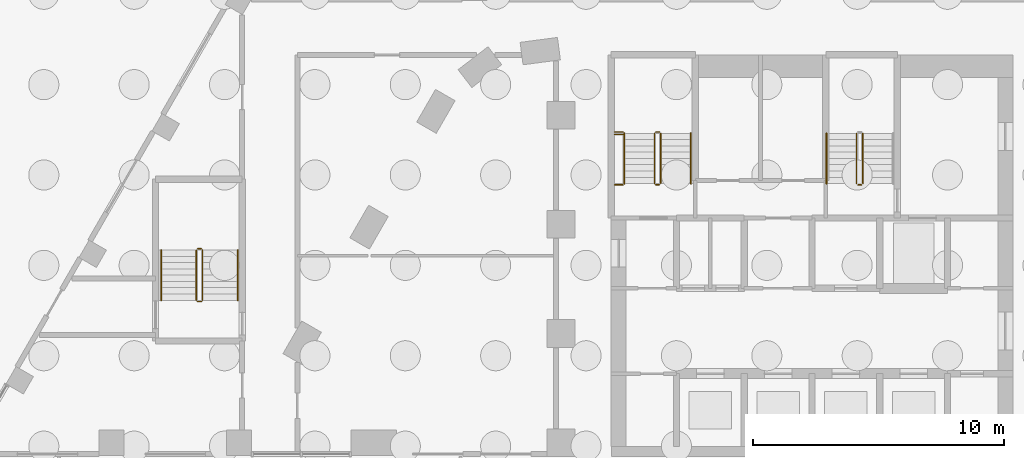
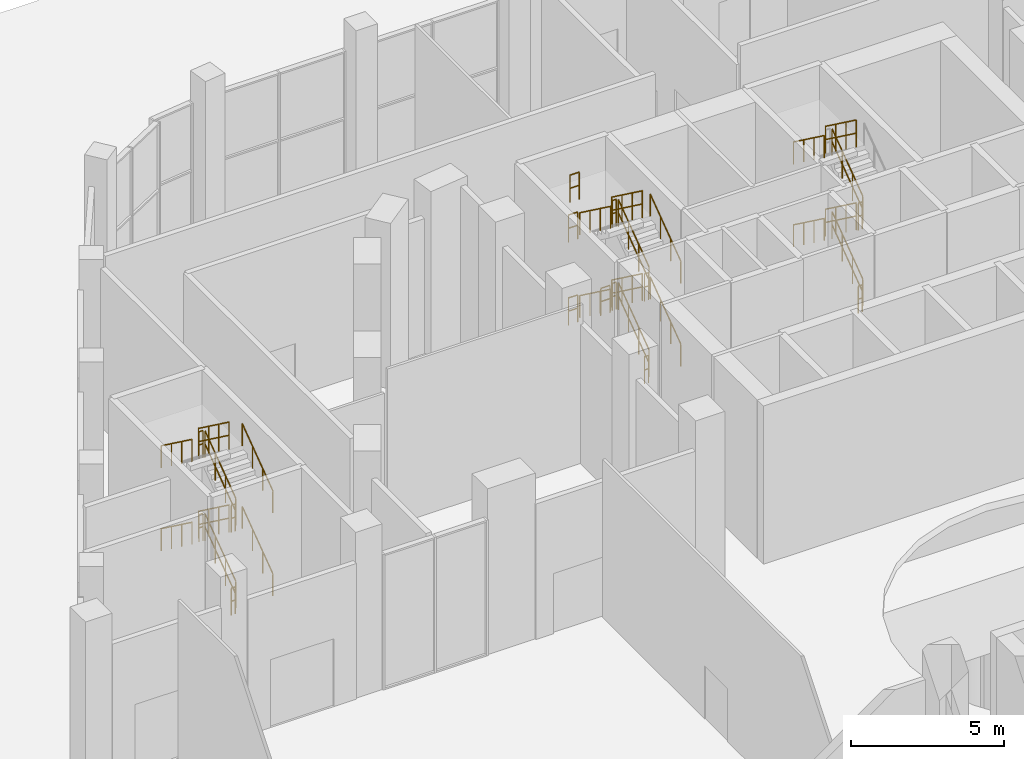
# One storey, part 40 of 44: 36 railings.
"""IFC4 building model written with IfcOpenShell, lengths in metres."""

from ifc_helpers import new_model, si_unit, direction, frame, origin, origin_2d, place, context, subcontext, project, spatial, circle, extrude, material, type_object, element, save


model = new_model("IFC4")

# Units and contexts
model_context = context("Model", 3, precision=1e-05, world=origin(), true_north=direction((0.0, 1.0)))
body_context = subcontext(model_context, "Body", "Model", "MODEL_VIEW")
ifc_project = project(units=[si_unit("LENGTHUNIT", "METRE"), si_unit("AREAUNIT", "SQUARE_METRE"), si_unit("VOLUMEUNIT", "CUBIC_METRE"), si_unit("PLANEANGLEUNIT", "RADIAN"), si_unit("MASSUNIT", "GRAM", prefix="KILO")], contexts=[model_context])

# Site, building, storey
site_placement = place(None, origin())
site = spatial("IfcSite", under=ifc_project, at=site_placement, CompositionType="ELEMENT")
building_placement = place(site_placement, origin())
building = spatial("IfcBuilding", under=site, at=building_placement, Name="Nakaniwa Court", CompositionType="ELEMENT")
storey_placement = place(building_placement, origin())
storey = spatial("IfcBuildingStorey", under=building, at=storey_placement, Name="L00", CompositionType="ELEMENT", Elevation=0.0)

# Railings
ifc_material_1 = material(Name="Black powder coated steel guard", Category="steel")
railing_type_1 = type_object("IfcRailingType", Name="Stair guard 1100", PredefinedType="GUARDRAIL", material=ifc_material_1)
railing_1_placement = place(storey_placement, frame((73.97509765625, 98.27490234375, 0.183349609375)))
element("IfcRailing", 1, at=railing_1_placement, inside=storey, type_object=railing_type_1, Name="L00 ST1 stair guard 1", PredefinedType="GUARDRAIL", context=body_context, shape_type="SweptSolid", body=[
    extrude(circle(Radius=0.02392578125, at=origin_2d()), frame((0.0, 0.0, 1.076171875), z_axis=(0.0, 0.806426902644, 0.591333789573), x_axis=(-1.0, 0.0, 0.0)), (0.0, 0.0, 1.0), 2.47998046875),
    extrude(circle(Radius=0.02392578125, at=origin_2d()), frame((0.0, 0.0, 0.550048828125), z_axis=(0.0, 0.806426902644, 0.591333789573), x_axis=(-1.0, 0.0, 0.0)), (0.0, 0.0, 1.0), 2.47998046875),
    extrude(circle(Radius=0.02099609375, at=origin_2d()), origin(), (0.0, 0.0, 1.0), 1.052001953125),
    extrude(circle(Radius=0.02099609375, at=origin_2d()), frame((0.0, 0.666748046875, 0.48876953125)), (0.0, 0.0, 1.0), 1.052001953125),
    extrude(circle(Radius=0.02099609375, at=origin_2d()), frame((0.0, 1.333251953125, 0.977783203125)), (0.0, 0.0, 1.0), 1.052001953125),
    extrude(circle(Radius=0.02099609375, at=origin_2d()), frame((0.0, 2.0, 1.466552734375)), (0.0, 0.0, 1.0), 1.052001953125),
])
railing_2_placement = place(storey_placement, frame((73.925048828125, 100.324951171875, 1.64990234375)))
element("IfcRailing", 2, at=railing_2_placement, inside=storey, type_object=railing_type_1, Name="L00 ST1 stair guard 2", PredefinedType="GUARDRAIL", context=body_context, shape_type="SweptSolid", body=[
    extrude(circle(Radius=0.02392578125, at=origin_2d()), frame((0.0, 0.0, 1.076171875), z_axis=(-1.0, 0.0, 0.0), x_axis=(0.0, -1.0, 0.0)), (0.0, 0.0, 1.0), 0.150146484375),
    extrude(circle(Radius=0.02392578125, at=origin_2d()), frame((0.0, 0.0, 0.550048828125), z_axis=(-1.0, 0.0, 0.0), x_axis=(0.0, -1.0, 0.0)), (0.0, 0.0, 1.0), 0.150146484375),
    extrude(circle(Radius=0.02099609375, at=origin_2d()), origin(), (0.0, 0.0, 1.0), 1.052001953125),
    extrude(circle(Radius=0.02099609375, at=origin_2d()), frame((-0.150146484375, 0.0, 0.0)), (0.0, 0.0, 1.0), 1.052001953125),
])
railing_3_placement = place(storey_placement, frame((73.72509765625, 100.27490234375, 1.833251953125)))
element("IfcRailing", 3, at=railing_3_placement, inside=storey, type_object=railing_type_1, Name="L00 ST1 stair guard 3", PredefinedType="GUARDRAIL", context=body_context, shape_type="SweptSolid", body=[
    extrude(circle(Radius=0.02392578125, at=origin_2d()), frame((0.0, 0.0, 1.076171875), z_axis=(0.0, -0.806379959628, 0.591397802423), x_axis=(1.0, 0.0, 0.0)), (0.0, 0.0, 1.0), 2.480224609375),
    extrude(circle(Radius=0.02392578125, at=origin_2d()), frame((0.0, 0.0, 0.550048828125), z_axis=(0.0, -0.806379959628, 0.591397802423), x_axis=(1.0, 0.0, 0.0)), (0.0, 0.0, 1.0), 2.480224609375),
    extrude(circle(Radius=0.02099609375, at=origin_2d()), origin(), (0.0, 0.0, 1.0), 1.052001953125),
    extrude(circle(Radius=0.02099609375, at=origin_2d()), frame((0.0, -0.666748046875, 0.489013671875)), (0.0, 0.0, 1.0), 1.052001953125),
    extrude(circle(Radius=0.02099609375, at=origin_2d()), frame((0.0, -1.333251953125, 0.977783203125)), (0.0, 0.0, 1.0), 1.052001953125),
    extrude(circle(Radius=0.02099609375, at=origin_2d()), frame((0.0, -2.0, 1.466796875)), (0.0, 0.0, 1.0), 1.052001953125),
])
railing_4_placement = place(storey_placement, frame((73.925048828125, 98.22509765625, 3.300048828125)))
element("IfcRailing", 4, at=railing_4_placement, inside=storey, type_object=railing_type_1, Name="L00 ST1 stair guard 4", PredefinedType="GUARDRAIL", context=body_context, shape_type="SweptSolid", body=[
    extrude(circle(Radius=0.02392578125, at=origin_2d()), frame((0.0, 0.0, 1.076171875), z_axis=(-1.0, 0.0, 0.0), x_axis=(0.0, -1.0, 0.0)), (0.0, 0.0, 1.0), 0.150146484375),
    extrude(circle(Radius=0.02392578125, at=origin_2d()), frame((0.0, 0.0, 0.550048828125), z_axis=(-1.0, 0.0, 0.0), x_axis=(0.0, -1.0, 0.0)), (0.0, 0.0, 1.0), 0.150146484375),
    extrude(circle(Radius=0.02099609375, at=origin_2d()), origin(), (0.0, 0.0, 1.0), 1.052001953125),
    extrude(circle(Radius=0.02099609375, at=origin_2d()), frame((-0.150146484375, 0.0, 0.0)), (0.0, 0.0, 1.0), 1.052001953125),
])
railing_5_placement = place(storey_placement, frame((73.97509765625, 98.27490234375, 3.4833984375)))
element("IfcRailing", 5, at=railing_5_placement, inside=storey, type_object=railing_type_1, Name="L00 ST1 stair guard 5", PredefinedType="GUARDRAIL", context=body_context, shape_type="SweptSolid", body=[
    extrude(circle(Radius=0.02392578125, at=origin_2d()), frame((0.0, 0.0, 1.076171875), z_axis=(0.0, 0.806426902644, 0.591333789573), x_axis=(-1.0, 0.0, 0.0)), (0.0, 0.0, 1.0), 2.47998046875),
    extrude(circle(Radius=0.02392578125, at=origin_2d()), frame((0.0, 0.0, 0.550048828125), z_axis=(0.0, 0.806426902644, 0.591333789573), x_axis=(-1.0, 0.0, 0.0)), (0.0, 0.0, 1.0), 2.47998046875),
    extrude(circle(Radius=0.02099609375, at=origin_2d()), origin(), (0.0, 0.0, 1.0), 1.052001953125),
    extrude(circle(Radius=0.02099609375, at=origin_2d()), frame((0.0, 0.666748046875, 0.48876953125)), (0.0, 0.0, 1.0), 1.052001953125),
    extrude(circle(Radius=0.02099609375, at=origin_2d()), frame((0.0, 1.333251953125, 0.977783203125)), (0.0, 0.0, 1.0), 1.052001953125),
    extrude(circle(Radius=0.02099609375, at=origin_2d()), frame((0.0, 2.0, 1.466552734375)), (0.0, 0.0, 1.0), 1.052001953125),
])
railing_6_placement = place(storey_placement, frame((73.925048828125, 100.324951171875, 4.949951171875)))
element("IfcRailing", 6, at=railing_6_placement, inside=storey, type_object=railing_type_1, Name="L00 ST1 stair guard 6", PredefinedType="GUARDRAIL", context=body_context, shape_type="SweptSolid", body=[
    extrude(circle(Radius=0.02392578125, at=origin_2d()), frame((0.0, 0.0, 1.076171875), z_axis=(-1.0, 0.0, 0.0), x_axis=(0.0, -1.0, 0.0)), (0.0, 0.0, 1.0), 0.150146484375),
    extrude(circle(Radius=0.02392578125, at=origin_2d()), frame((0.0, 0.0, 0.550048828125), z_axis=(-1.0, 0.0, 0.0), x_axis=(0.0, -1.0, 0.0)), (0.0, 0.0, 1.0), 0.150146484375),
    extrude(circle(Radius=0.02099609375, at=origin_2d()), origin(), (0.0, 0.0, 1.0), 1.052001953125),
    extrude(circle(Radius=0.02099609375, at=origin_2d()), frame((-0.150146484375, 0.0, 0.0)), (0.0, 0.0, 1.0), 1.052001953125),
])
railing_7_placement = place(storey_placement, frame((73.72509765625, 100.27490234375, 5.13330078125)))
element("IfcRailing", 7, at=railing_7_placement, inside=storey, type_object=railing_type_1, Name="L00 ST1 stair guard 7", PredefinedType="GUARDRAIL", context=body_context, shape_type="SweptSolid", body=[
    extrude(circle(Radius=0.02392578125, at=origin_2d()), frame((0.0, 0.0, 1.076171875), z_axis=(0.0, -0.806379959628, 0.591397802423), x_axis=(1.0, 0.0, 0.0)), (0.0, 0.0, 1.0), 2.480224609375),
    extrude(circle(Radius=0.02392578125, at=origin_2d()), frame((0.0, 0.0, 0.550048828125), z_axis=(0.0, -0.806379959628, 0.591397802423), x_axis=(1.0, 0.0, 0.0)), (0.0, 0.0, 1.0), 2.480224609375),
    extrude(circle(Radius=0.02099609375, at=origin_2d()), origin(), (0.0, 0.0, 1.0), 1.052001953125),
    extrude(circle(Radius=0.02099609375, at=origin_2d()), frame((0.0, -0.666748046875, 0.489013671875)), (0.0, 0.0, 1.0), 1.052001953125),
    extrude(circle(Radius=0.02099609375, at=origin_2d()), frame((0.0, -1.333251953125, 0.977783203125)), (0.0, 0.0, 1.0), 1.052001953125),
    extrude(circle(Radius=0.02099609375, at=origin_2d()), frame((0.0, -2.0, 1.466796875)), (0.0, 0.0, 1.0), 1.052001953125),
])
railing_8_placement = place(storey_placement, frame((73.925048828125, 98.22509765625, 0.0)))
element("IfcRailing", 8, at=railing_8_placement, inside=storey, type_object=railing_type_1, Name="L00 ST1 stair guard 8", PredefinedType="GUARDRAIL", context=body_context, shape_type="SweptSolid", body=[
    extrude(circle(Radius=0.02392578125, at=origin_2d()), frame((0.0, 0.0, 1.076171875), z_axis=(-1.0, 0.0, 0.0), x_axis=(0.0, -1.0, 0.0)), (0.0, 0.0, 1.0), 0.150146484375),
    extrude(circle(Radius=0.02392578125, at=origin_2d()), frame((0.0, 0.0, 0.550048828125), z_axis=(-1.0, 0.0, 0.0), x_axis=(0.0, -1.0, 0.0)), (0.0, 0.0, 1.0), 0.150146484375),
    extrude(circle(Radius=0.02099609375, at=origin_2d()), origin(), (0.0, 0.0, 1.0), 1.052001953125),
    extrude(circle(Radius=0.02099609375, at=origin_2d()), frame((-0.150146484375, 0.0, 0.0)), (0.0, 0.0, 1.0), 1.052001953125),
])
for number, where, name in (
    (9, (72.125, 100.324951171875, 1.64990234375), "L00 ST1 landing side guard 1W"),
    (10, (72.125, 98.22509765625, 3.300048828125), "L00 ST1 landing side guard 2W"),
    (11, (72.125, 100.324951171875, 4.949951171875), "L00 ST1 landing side guard 3W"),
    (12, (72.125, 100.22509765625, 6.60009765625), "L00 ST1 floor edge guard 3W"),
):
    element("IfcRailing", number, at=place(storey_placement, frame(where)), inside=storey, type_object=railing_type_1, Name=name, PredefinedType="GUARDRAIL", context=body_context, shape_type="SweptSolid", body=[
        extrude(circle(Radius=0.02392578125, at=origin_2d()), frame((0.0, 0.0, 1.076171875), z_axis=(1.0, 0.0, 0.0), x_axis=(0.0, 1.0, 0.0)), (0.0, 0.0, 1.0), 0.35009765625),
        extrude(circle(Radius=0.02392578125, at=origin_2d()), frame((0.0, 0.0, 0.550048828125), z_axis=(1.0, 0.0, 0.0), x_axis=(0.0, 1.0, 0.0)), (0.0, 0.0, 1.0), 0.35009765625),
        extrude(circle(Radius=0.02099609375, at=origin_2d()), origin(), (0.0, 0.0, 1.0), 1.052001953125),
        extrude(circle(Radius=0.02099609375, at=origin_2d()), frame((0.35009765625, 0.0, 0.0)), (0.0, 0.0, 1.0), 1.052001953125),
    ])
railing_9_placement = place(storey_placement, frame((82.02490234375, 98.27490234375, 0.183349609375)))
element("IfcRailing", 13, at=railing_9_placement, inside=storey, type_object=railing_type_1, Name="L00 ST2 stair guard 1", PredefinedType="GUARDRAIL", context=body_context, shape_type="SweptSolid", body=[
    extrude(circle(Radius=0.02392578125, at=origin_2d()), frame((0.0, 0.0, 1.076171875), z_axis=(0.0, 0.806426902644, 0.591333789573), x_axis=(-1.0, 0.0, 0.0)), (0.0, 0.0, 1.0), 2.47998046875),
    extrude(circle(Radius=0.02392578125, at=origin_2d()), frame((0.0, 0.0, 0.550048828125), z_axis=(0.0, 0.806426902644, 0.591333789573), x_axis=(-1.0, 0.0, 0.0)), (0.0, 0.0, 1.0), 2.47998046875),
    extrude(circle(Radius=0.02099609375, at=origin_2d()), origin(), (0.0, 0.0, 1.0), 1.052001953125),
    extrude(circle(Radius=0.02099609375, at=origin_2d()), frame((0.0, 0.666748046875, 0.48876953125)), (0.0, 0.0, 1.0), 1.052001953125),
    extrude(circle(Radius=0.02099609375, at=origin_2d()), frame((0.0, 1.333251953125, 0.977783203125)), (0.0, 0.0, 1.0), 1.052001953125),
    extrude(circle(Radius=0.02099609375, at=origin_2d()), frame((0.0, 2.0, 1.466552734375)), (0.0, 0.0, 1.0), 1.052001953125),
])
railing_10_placement = place(storey_placement, frame((81.77490234375, 100.27490234375, 1.833251953125)))
element("IfcRailing", 14, at=railing_10_placement, inside=storey, type_object=railing_type_1, Name="L00 ST2 stair guard 3", PredefinedType="GUARDRAIL", context=body_context, shape_type="SweptSolid", body=[
    extrude(circle(Radius=0.02392578125, at=origin_2d()), frame((0.0, 0.0, 1.076171875), z_axis=(0.0, -0.806379959628, 0.591397802423), x_axis=(1.0, 0.0, 0.0)), (0.0, 0.0, 1.0), 2.480224609375),
    extrude(circle(Radius=0.02392578125, at=origin_2d()), frame((0.0, 0.0, 0.550048828125), z_axis=(0.0, -0.806379959628, 0.591397802423), x_axis=(1.0, 0.0, 0.0)), (0.0, 0.0, 1.0), 2.480224609375),
    extrude(circle(Radius=0.02099609375, at=origin_2d()), origin(), (0.0, 0.0, 1.0), 1.052001953125),
    extrude(circle(Radius=0.02099609375, at=origin_2d()), frame((0.0, -0.666748046875, 0.489013671875)), (0.0, 0.0, 1.0), 1.052001953125),
    extrude(circle(Radius=0.02099609375, at=origin_2d()), frame((0.0, -1.333251953125, 0.977783203125)), (0.0, 0.0, 1.0), 1.052001953125),
    extrude(circle(Radius=0.02099609375, at=origin_2d()), frame((0.0, -2.0, 1.466796875)), (0.0, 0.0, 1.0), 1.052001953125),
])
railing_11_placement = place(storey_placement, frame((81.97509765625, 98.22509765625, 3.300048828125)))
element("IfcRailing", 15, at=railing_11_placement, inside=storey, type_object=railing_type_1, Name="L00 ST2 stair guard 4", PredefinedType="GUARDRAIL", context=body_context, shape_type="SweptSolid", body=[
    extrude(circle(Radius=0.02392578125, at=origin_2d()), frame((0.0, 0.0, 1.076171875), z_axis=(-1.0, 0.0, 0.0), x_axis=(0.0, -1.0, 0.0)), (0.0, 0.0, 1.0), 0.150146484375),
    extrude(circle(Radius=0.02392578125, at=origin_2d()), frame((0.0, 0.0, 0.550048828125), z_axis=(-1.0, 0.0, 0.0), x_axis=(0.0, -1.0, 0.0)), (0.0, 0.0, 1.0), 0.150146484375),
    extrude(circle(Radius=0.02099609375, at=origin_2d()), origin(), (0.0, 0.0, 1.0), 1.052001953125),
    extrude(circle(Radius=0.02099609375, at=origin_2d()), frame((-0.150146484375, 0.0, 0.0)), (0.0, 0.0, 1.0), 1.052001953125),
])
railing_12_placement = place(storey_placement, frame((82.02490234375, 98.27490234375, 3.4833984375)))
element("IfcRailing", 16, at=railing_12_placement, inside=storey, type_object=railing_type_1, Name="L00 ST2 stair guard 5", PredefinedType="GUARDRAIL", context=body_context, shape_type="SweptSolid", body=[
    extrude(circle(Radius=0.02392578125, at=origin_2d()), frame((0.0, 0.0, 1.076171875), z_axis=(0.0, 0.806426902644, 0.591333789573), x_axis=(-1.0, 0.0, 0.0)), (0.0, 0.0, 1.0), 2.47998046875),
    extrude(circle(Radius=0.02392578125, at=origin_2d()), frame((0.0, 0.0, 0.550048828125), z_axis=(0.0, 0.806426902644, 0.591333789573), x_axis=(-1.0, 0.0, 0.0)), (0.0, 0.0, 1.0), 2.47998046875),
    extrude(circle(Radius=0.02099609375, at=origin_2d()), origin(), (0.0, 0.0, 1.0), 1.052001953125),
    extrude(circle(Radius=0.02099609375, at=origin_2d()), frame((0.0, 0.666748046875, 0.48876953125)), (0.0, 0.0, 1.0), 1.052001953125),
    extrude(circle(Radius=0.02099609375, at=origin_2d()), frame((0.0, 1.333251953125, 0.977783203125)), (0.0, 0.0, 1.0), 1.052001953125),
    extrude(circle(Radius=0.02099609375, at=origin_2d()), frame((0.0, 2.0, 1.466552734375)), (0.0, 0.0, 1.0), 1.052001953125),
])
railing_13_placement = place(storey_placement, frame((81.77490234375, 100.27490234375, 5.13330078125)))
element("IfcRailing", 17, at=railing_13_placement, inside=storey, type_object=railing_type_1, Name="L00 ST2 stair guard 7", PredefinedType="GUARDRAIL", context=body_context, shape_type="SweptSolid", body=[
    extrude(circle(Radius=0.02392578125, at=origin_2d()), frame((0.0, 0.0, 1.076171875), z_axis=(0.0, -0.806379959628, 0.591397802423), x_axis=(1.0, 0.0, 0.0)), (0.0, 0.0, 1.0), 2.480224609375),
    extrude(circle(Radius=0.02392578125, at=origin_2d()), frame((0.0, 0.0, 0.550048828125), z_axis=(0.0, -0.806379959628, 0.591397802423), x_axis=(1.0, 0.0, 0.0)), (0.0, 0.0, 1.0), 2.480224609375),
    extrude(circle(Radius=0.02099609375, at=origin_2d()), origin(), (0.0, 0.0, 1.0), 1.052001953125),
    extrude(circle(Radius=0.02099609375, at=origin_2d()), frame((0.0, -0.666748046875, 0.489013671875)), (0.0, 0.0, 1.0), 1.052001953125),
    extrude(circle(Radius=0.02099609375, at=origin_2d()), frame((0.0, -1.333251953125, 0.977783203125)), (0.0, 0.0, 1.0), 1.052001953125),
    extrude(circle(Radius=0.02099609375, at=origin_2d()), frame((0.0, -2.0, 1.466796875)), (0.0, 0.0, 1.0), 1.052001953125),
])
railing_14_placement = place(storey_placement, frame((81.97509765625, 98.22509765625, 0.0)))
element("IfcRailing", 18, at=railing_14_placement, inside=storey, type_object=railing_type_1, Name="L00 ST2 stair guard 8", PredefinedType="GUARDRAIL", context=body_context, shape_type="SweptSolid", body=[
    extrude(circle(Radius=0.02392578125, at=origin_2d()), frame((0.0, 0.0, 1.076171875), z_axis=(-1.0, 0.0, 0.0), x_axis=(0.0, -1.0, 0.0)), (0.0, 0.0, 1.0), 0.150146484375),
    extrude(circle(Radius=0.02392578125, at=origin_2d()), frame((0.0, 0.0, 0.550048828125), z_axis=(-1.0, 0.0, 0.0), x_axis=(0.0, -1.0, 0.0)), (0.0, 0.0, 1.0), 0.150146484375),
    extrude(circle(Radius=0.02099609375, at=origin_2d()), origin(), (0.0, 0.0, 1.0), 1.052001953125),
    extrude(circle(Radius=0.02099609375, at=origin_2d()), frame((-0.150146484375, 0.0, 0.0)), (0.0, 0.0, 1.0), 1.052001953125),
])
railing_15_placement = place(storey_placement, frame((55.72509765625, 93.625, 0.183349609375)))
element("IfcRailing", 19, at=railing_15_placement, inside=storey, type_object=railing_type_1, Name="L00 SS2 stair guard 1", PredefinedType="GUARDRAIL", context=body_context, shape_type="SweptSolid", body=[
    extrude(circle(Radius=0.02392578125, at=origin_2d()), frame((0.0, 0.0, 1.076171875), z_axis=(0.0, 0.806426902644, 0.591333789573), x_axis=(-1.0, 0.0, 0.0)), (0.0, 0.0, 1.0), 2.47998046875),
    extrude(circle(Radius=0.02392578125, at=origin_2d()), frame((0.0, 0.0, 0.550048828125), z_axis=(0.0, 0.806426902644, 0.591333789573), x_axis=(-1.0, 0.0, 0.0)), (0.0, 0.0, 1.0), 2.47998046875),
    extrude(circle(Radius=0.02099609375, at=origin_2d()), origin(), (0.0, 0.0, 1.0), 1.052001953125),
    extrude(circle(Radius=0.02099609375, at=origin_2d()), frame((0.0, 0.666748046875, 0.48876953125)), (0.0, 0.0, 1.0), 1.052001953125),
    extrude(circle(Radius=0.02099609375, at=origin_2d()), frame((0.0, 1.333251953125, 0.977783203125)), (0.0, 0.0, 1.0), 1.052001953125),
    extrude(circle(Radius=0.02099609375, at=origin_2d()), frame((0.0, 2.0, 1.466552734375)), (0.0, 0.0, 1.0), 1.052001953125),
])
railing_16_placement = place(storey_placement, frame((55.675048828125, 95.675048828125, 1.64990234375)))
element("IfcRailing", 20, at=railing_16_placement, inside=storey, type_object=railing_type_1, Name="L00 SS2 stair guard 2", PredefinedType="GUARDRAIL", context=body_context, shape_type="SweptSolid", body=[
    extrude(circle(Radius=0.02392578125, at=origin_2d()), frame((0.0, 0.0, 1.076171875), z_axis=(-1.0, 0.0, 0.0), x_axis=(0.0, -1.0, 0.0)), (0.0, 0.0, 1.0), 0.150146484375),
    extrude(circle(Radius=0.02392578125, at=origin_2d()), frame((0.0, 0.0, 0.550048828125), z_axis=(-1.0, 0.0, 0.0), x_axis=(0.0, -1.0, 0.0)), (0.0, 0.0, 1.0), 0.150146484375),
    extrude(circle(Radius=0.02099609375, at=origin_2d()), origin(), (0.0, 0.0, 1.0), 1.052001953125),
    extrude(circle(Radius=0.02099609375, at=origin_2d()), frame((-0.150146484375, 0.0, 0.0)), (0.0, 0.0, 1.0), 1.052001953125),
])
railing_17_placement = place(storey_placement, frame((55.47509765625, 95.625, 1.833251953125)))
element("IfcRailing", 21, at=railing_17_placement, inside=storey, type_object=railing_type_1, Name="L00 SS2 stair guard 3", PredefinedType="GUARDRAIL", context=body_context, shape_type="SweptSolid", body=[
    extrude(circle(Radius=0.02392578125, at=origin_2d()), frame((0.0, 0.0, 1.076171875), z_axis=(0.0, -0.806379959628, 0.591397802423), x_axis=(1.0, 0.0, 0.0)), (0.0, 0.0, 1.0), 2.480224609375),
    extrude(circle(Radius=0.02392578125, at=origin_2d()), frame((0.0, 0.0, 0.550048828125), z_axis=(0.0, -0.806379959628, 0.591397802423), x_axis=(1.0, 0.0, 0.0)), (0.0, 0.0, 1.0), 2.480224609375),
    extrude(circle(Radius=0.02099609375, at=origin_2d()), origin(), (0.0, 0.0, 1.0), 1.052001953125),
    extrude(circle(Radius=0.02099609375, at=origin_2d()), frame((0.0, -0.666748046875, 0.489013671875)), (0.0, 0.0, 1.0), 1.052001953125),
    extrude(circle(Radius=0.02099609375, at=origin_2d()), frame((0.0, -1.333251953125, 0.977783203125)), (0.0, 0.0, 1.0), 1.052001953125),
    extrude(circle(Radius=0.02099609375, at=origin_2d()), frame((0.0, -2.0, 1.466796875)), (0.0, 0.0, 1.0), 1.052001953125),
])
railing_18_placement = place(storey_placement, frame((55.675048828125, 93.574951171875, 3.300048828125)))
element("IfcRailing", 22, at=railing_18_placement, inside=storey, type_object=railing_type_1, Name="L00 SS2 stair guard 4", PredefinedType="GUARDRAIL", context=body_context, shape_type="SweptSolid", body=[
    extrude(circle(Radius=0.02392578125, at=origin_2d()), frame((0.0, 0.0, 1.076171875), z_axis=(-1.0, 0.0, 0.0), x_axis=(0.0, -1.0, 0.0)), (0.0, 0.0, 1.0), 0.150146484375),
    extrude(circle(Radius=0.02392578125, at=origin_2d()), frame((0.0, 0.0, 0.550048828125), z_axis=(-1.0, 0.0, 0.0), x_axis=(0.0, -1.0, 0.0)), (0.0, 0.0, 1.0), 0.150146484375),
    extrude(circle(Radius=0.02099609375, at=origin_2d()), origin(), (0.0, 0.0, 1.0), 1.052001953125),
    extrude(circle(Radius=0.02099609375, at=origin_2d()), frame((-0.150146484375, 0.0, 0.0)), (0.0, 0.0, 1.0), 1.052001953125),
])
railing_19_placement = place(storey_placement, frame((55.72509765625, 93.625, 3.4833984375)))
element("IfcRailing", 23, at=railing_19_placement, inside=storey, type_object=railing_type_1, Name="L00 SS2 stair guard 5", PredefinedType="GUARDRAIL", context=body_context, shape_type="SweptSolid", body=[
    extrude(circle(Radius=0.02392578125, at=origin_2d()), frame((0.0, 0.0, 1.076171875), z_axis=(0.0, 0.806426902644, 0.591333789573), x_axis=(-1.0, 0.0, 0.0)), (0.0, 0.0, 1.0), 2.47998046875),
    extrude(circle(Radius=0.02392578125, at=origin_2d()), frame((0.0, 0.0, 0.550048828125), z_axis=(0.0, 0.806426902644, 0.591333789573), x_axis=(-1.0, 0.0, 0.0)), (0.0, 0.0, 1.0), 2.47998046875),
    extrude(circle(Radius=0.02099609375, at=origin_2d()), origin(), (0.0, 0.0, 1.0), 1.052001953125),
    extrude(circle(Radius=0.02099609375, at=origin_2d()), frame((0.0, 0.666748046875, 0.48876953125)), (0.0, 0.0, 1.0), 1.052001953125),
    extrude(circle(Radius=0.02099609375, at=origin_2d()), frame((0.0, 1.333251953125, 0.977783203125)), (0.0, 0.0, 1.0), 1.052001953125),
    extrude(circle(Radius=0.02099609375, at=origin_2d()), frame((0.0, 2.0, 1.466552734375)), (0.0, 0.0, 1.0), 1.052001953125),
])
railing_20_placement = place(storey_placement, frame((55.675048828125, 95.675048828125, 4.949951171875)))
element("IfcRailing", 24, at=railing_20_placement, inside=storey, type_object=railing_type_1, Name="L00 SS2 stair guard 6", PredefinedType="GUARDRAIL", context=body_context, shape_type="SweptSolid", body=[
    extrude(circle(Radius=0.02392578125, at=origin_2d()), frame((0.0, 0.0, 1.076171875), z_axis=(-1.0, 0.0, 0.0), x_axis=(0.0, -1.0, 0.0)), (0.0, 0.0, 1.0), 0.150146484375),
    extrude(circle(Radius=0.02392578125, at=origin_2d()), frame((0.0, 0.0, 0.550048828125), z_axis=(-1.0, 0.0, 0.0), x_axis=(0.0, -1.0, 0.0)), (0.0, 0.0, 1.0), 0.150146484375),
    extrude(circle(Radius=0.02099609375, at=origin_2d()), origin(), (0.0, 0.0, 1.0), 1.052001953125),
    extrude(circle(Radius=0.02099609375, at=origin_2d()), frame((-0.150146484375, 0.0, 0.0)), (0.0, 0.0, 1.0), 1.052001953125),
])
railing_21_placement = place(storey_placement, frame((55.47509765625, 95.625, 5.13330078125)))
element("IfcRailing", 25, at=railing_21_placement, inside=storey, type_object=railing_type_1, Name="L00 SS2 stair guard 7", PredefinedType="GUARDRAIL", context=body_context, shape_type="SweptSolid", body=[
    extrude(circle(Radius=0.02392578125, at=origin_2d()), frame((0.0, 0.0, 1.076171875), z_axis=(0.0, -0.806379959628, 0.591397802423), x_axis=(1.0, 0.0, 0.0)), (0.0, 0.0, 1.0), 2.480224609375),
    extrude(circle(Radius=0.02392578125, at=origin_2d()), frame((0.0, 0.0, 0.550048828125), z_axis=(0.0, -0.806379959628, 0.591397802423), x_axis=(1.0, 0.0, 0.0)), (0.0, 0.0, 1.0), 2.480224609375),
    extrude(circle(Radius=0.02099609375, at=origin_2d()), origin(), (0.0, 0.0, 1.0), 1.052001953125),
    extrude(circle(Radius=0.02099609375, at=origin_2d()), frame((0.0, -0.666748046875, 0.489013671875)), (0.0, 0.0, 1.0), 1.052001953125),
    extrude(circle(Radius=0.02099609375, at=origin_2d()), frame((0.0, -1.333251953125, 0.977783203125)), (0.0, 0.0, 1.0), 1.052001953125),
    extrude(circle(Radius=0.02099609375, at=origin_2d()), frame((0.0, -2.0, 1.466796875)), (0.0, 0.0, 1.0), 1.052001953125),
])
railing_22_placement = place(storey_placement, frame((55.675048828125, 93.574951171875, 0.0)))
element("IfcRailing", 26, at=railing_22_placement, inside=storey, type_object=railing_type_1, Name="L00 SS2 stair guard 8", PredefinedType="GUARDRAIL", context=body_context, shape_type="SweptSolid", body=[
    extrude(circle(Radius=0.02392578125, at=origin_2d()), frame((0.0, 0.0, 1.076171875), z_axis=(-1.0, 0.0, 0.0), x_axis=(0.0, -1.0, 0.0)), (0.0, 0.0, 1.0), 0.150146484375),
    extrude(circle(Radius=0.02392578125, at=origin_2d()), frame((0.0, 0.0, 0.550048828125), z_axis=(-1.0, 0.0, 0.0), x_axis=(0.0, -1.0, 0.0)), (0.0, 0.0, 1.0), 0.150146484375),
    extrude(circle(Radius=0.02099609375, at=origin_2d()), origin(), (0.0, 0.0, 1.0), 1.052001953125),
    extrude(circle(Radius=0.02099609375, at=origin_2d()), frame((-0.150146484375, 0.0, 0.0)), (0.0, 0.0, 1.0), 1.052001953125),
])
ifc_material_2 = material(Name="Black powder coated steel handrail", Category="steel")
railing_type_2 = type_object("IfcRailingType", Name="Stair handrail 900", PredefinedType="HANDRAIL", material=ifc_material_2)
railing_23_placement = place(storey_placement, frame((75.175048828125, 98.27490234375, 0.183349609375)))
element("IfcRailing", 27, at=railing_23_placement, inside=storey, type_object=railing_type_2, Name="L00 ST1 stair handrail 1", PredefinedType="HANDRAIL", context=body_context, shape_type="SweptSolid", body=[
    extrude(circle(Radius=0.02392578125, at=origin_2d()), frame((0.0, 0.0, 0.8759765625), z_axis=(0.0, 0.806426902644, 0.591333789573), x_axis=(-1.0, 0.0, 0.0)), (0.0, 0.0, 1.0), 2.47998046875),
    extrude(circle(Radius=0.02099609375, at=origin_2d()), origin(), (0.0, 0.0, 1.0), 0.851806640625),
    extrude(circle(Radius=0.02099609375, at=origin_2d()), frame((0.0, 0.666748046875, 0.48876953125)), (0.0, 0.0, 1.0), 0.851806640625),
    extrude(circle(Radius=0.02099609375, at=origin_2d()), frame((0.0, 1.333251953125, 0.977783203125)), (0.0, 0.0, 1.0), 0.851806640625),
    extrude(circle(Radius=0.02099609375, at=origin_2d()), frame((0.0, 2.0, 1.466552734375)), (0.0, 0.0, 1.0), 0.851806640625),
])
railing_24_placement = place(storey_placement, frame((72.52490234375, 100.27490234375, 1.833251953125)))
element("IfcRailing", 28, at=railing_24_placement, inside=storey, type_object=railing_type_2, Name="L00 ST1 stair handrail 2", PredefinedType="HANDRAIL", context=body_context, shape_type="SweptSolid", body=[
    extrude(circle(Radius=0.02392578125, at=origin_2d()), frame((0.0, 0.0, 0.8759765625), z_axis=(0.0, -0.806379959628, 0.591397802423), x_axis=(1.0, 0.0, 0.0)), (0.0, 0.0, 1.0), 2.480224609375),
    extrude(circle(Radius=0.02099609375, at=origin_2d()), origin(), (0.0, 0.0, 1.0), 0.851806640625),
    extrude(circle(Radius=0.02099609375, at=origin_2d()), frame((0.0, -0.666748046875, 0.489013671875)), (0.0, 0.0, 1.0), 0.851806640625),
    extrude(circle(Radius=0.02099609375, at=origin_2d()), frame((0.0, -1.333251953125, 0.977783203125)), (0.0, 0.0, 1.0), 0.851806640625),
    extrude(circle(Radius=0.02099609375, at=origin_2d()), frame((0.0, -2.0, 1.466796875)), (0.0, 0.0, 1.0), 0.851806640625),
])
railing_25_placement = place(storey_placement, frame((75.175048828125, 98.27490234375, 3.4833984375)))
element("IfcRailing", 29, at=railing_25_placement, inside=storey, type_object=railing_type_2, Name="L00 ST1 stair handrail 3", PredefinedType="HANDRAIL", context=body_context, shape_type="SweptSolid", body=[
    extrude(circle(Radius=0.02392578125, at=origin_2d()), frame((0.0, 0.0, 0.8759765625), z_axis=(0.0, 0.806426902644, 0.591333789573), x_axis=(-1.0, 0.0, 0.0)), (0.0, 0.0, 1.0), 2.47998046875),
    extrude(circle(Radius=0.02099609375, at=origin_2d()), origin(), (0.0, 0.0, 1.0), 0.851806640625),
    extrude(circle(Radius=0.02099609375, at=origin_2d()), frame((0.0, 0.666748046875, 0.48876953125)), (0.0, 0.0, 1.0), 0.851806640625),
    extrude(circle(Radius=0.02099609375, at=origin_2d()), frame((0.0, 1.333251953125, 0.977783203125)), (0.0, 0.0, 1.0), 0.851806640625),
    extrude(circle(Radius=0.02099609375, at=origin_2d()), frame((0.0, 2.0, 1.466552734375)), (0.0, 0.0, 1.0), 0.851806640625),
])
for number, where, name in (
    (30, (72.52490234375, 100.27490234375, 5.13330078125), "L00 ST1 stair handrail 4"),
    (31, (80.574951171875, 100.27490234375, 1.833251953125), "L00 ST2 stair handrail 2"),
    (32, (80.574951171875, 100.27490234375, 5.13330078125), "L00 ST2 stair handrail 4"),
):
    element("IfcRailing", number, at=place(storey_placement, frame(where)), inside=storey, type_object=railing_type_2, Name=name, PredefinedType="HANDRAIL", context=body_context, shape_type="SweptSolid", body=[
        extrude(circle(Radius=0.02392578125, at=origin_2d()), frame((0.0, 0.0, 0.8759765625), z_axis=(0.0, -0.806379959628, 0.591397802423), x_axis=(1.0, 0.0, 0.0)), (0.0, 0.0, 1.0), 2.480224609375),
        extrude(circle(Radius=0.02099609375, at=origin_2d()), origin(), (0.0, 0.0, 1.0), 0.851806640625),
        extrude(circle(Radius=0.02099609375, at=origin_2d()), frame((0.0, -0.666748046875, 0.489013671875)), (0.0, 0.0, 1.0), 0.851806640625),
        extrude(circle(Radius=0.02099609375, at=origin_2d()), frame((0.0, -1.333251953125, 0.977783203125)), (0.0, 0.0, 1.0), 0.851806640625),
        extrude(circle(Radius=0.02099609375, at=origin_2d()), frame((0.0, -2.0, 1.466796875)), (0.0, 0.0, 1.0), 0.851806640625),
    ])
railing_26_placement = place(storey_placement, frame((57.125, 93.625, 0.183349609375)))
element("IfcRailing", 33, at=railing_26_placement, inside=storey, type_object=railing_type_2, Name="L00 SS2 stair handrail 1", PredefinedType="HANDRAIL", context=body_context, shape_type="SweptSolid", body=[
    extrude(circle(Radius=0.02392578125, at=origin_2d()), frame((0.0, 0.0, 0.8759765625), z_axis=(0.0, 0.806426902644, 0.591333789573), x_axis=(-1.0, 0.0, 0.0)), (0.0, 0.0, 1.0), 2.47998046875),
    extrude(circle(Radius=0.02099609375, at=origin_2d()), origin(), (0.0, 0.0, 1.0), 0.851806640625),
    extrude(circle(Radius=0.02099609375, at=origin_2d()), frame((0.0, 0.666748046875, 0.48876953125)), (0.0, 0.0, 1.0), 0.851806640625),
    extrude(circle(Radius=0.02099609375, at=origin_2d()), frame((0.0, 1.333251953125, 0.977783203125)), (0.0, 0.0, 1.0), 0.851806640625),
    extrude(circle(Radius=0.02099609375, at=origin_2d()), frame((0.0, 2.0, 1.466552734375)), (0.0, 0.0, 1.0), 0.851806640625),
])
railing_27_placement = place(storey_placement, frame((54.074951171875, 95.625, 1.833251953125)))
element("IfcRailing", 34, at=railing_27_placement, inside=storey, type_object=railing_type_2, Name="L00 SS2 stair handrail 2", PredefinedType="HANDRAIL", context=body_context, shape_type="SweptSolid", body=[
    extrude(circle(Radius=0.02392578125, at=origin_2d()), frame((0.0, 0.0, 0.8759765625), z_axis=(0.0, -0.806379959628, 0.591397802423), x_axis=(1.0, 0.0, 0.0)), (0.0, 0.0, 1.0), 2.480224609375),
    extrude(circle(Radius=0.02099609375, at=origin_2d()), origin(), (0.0, 0.0, 1.0), 0.851806640625),
    extrude(circle(Radius=0.02099609375, at=origin_2d()), frame((0.0, -0.666748046875, 0.489013671875)), (0.0, 0.0, 1.0), 0.851806640625),
    extrude(circle(Radius=0.02099609375, at=origin_2d()), frame((0.0, -1.333251953125, 0.977783203125)), (0.0, 0.0, 1.0), 0.851806640625),
    extrude(circle(Radius=0.02099609375, at=origin_2d()), frame((0.0, -2.0, 1.466796875)), (0.0, 0.0, 1.0), 0.851806640625),
])
railing_28_placement = place(storey_placement, frame((57.125, 93.625, 3.4833984375)))
element("IfcRailing", 35, at=railing_28_placement, inside=storey, type_object=railing_type_2, Name="L00 SS2 stair handrail 3", PredefinedType="HANDRAIL", context=body_context, shape_type="SweptSolid", body=[
    extrude(circle(Radius=0.02392578125, at=origin_2d()), frame((0.0, 0.0, 0.8759765625), z_axis=(0.0, 0.806426902644, 0.591333789573), x_axis=(-1.0, 0.0, 0.0)), (0.0, 0.0, 1.0), 2.47998046875),
    extrude(circle(Radius=0.02099609375, at=origin_2d()), origin(), (0.0, 0.0, 1.0), 0.851806640625),
    extrude(circle(Radius=0.02099609375, at=origin_2d()), frame((0.0, 0.666748046875, 0.48876953125)), (0.0, 0.0, 1.0), 0.851806640625),
    extrude(circle(Radius=0.02099609375, at=origin_2d()), frame((0.0, 1.333251953125, 0.977783203125)), (0.0, 0.0, 1.0), 0.851806640625),
    extrude(circle(Radius=0.02099609375, at=origin_2d()), frame((0.0, 2.0, 1.466552734375)), (0.0, 0.0, 1.0), 0.851806640625),
])
railing_29_placement = place(storey_placement, frame((54.074951171875, 95.625, 5.13330078125)))
element("IfcRailing", 36, at=railing_29_placement, inside=storey, type_object=railing_type_2, Name="L00 SS2 stair handrail 4", PredefinedType="HANDRAIL", context=body_context, shape_type="SweptSolid", body=[
    extrude(circle(Radius=0.02392578125, at=origin_2d()), frame((0.0, 0.0, 0.8759765625), z_axis=(0.0, -0.806379959628, 0.591397802423), x_axis=(1.0, 0.0, 0.0)), (0.0, 0.0, 1.0), 2.480224609375),
    extrude(circle(Radius=0.02099609375, at=origin_2d()), origin(), (0.0, 0.0, 1.0), 0.851806640625),
    extrude(circle(Radius=0.02099609375, at=origin_2d()), frame((0.0, -0.666748046875, 0.489013671875)), (0.0, 0.0, 1.0), 0.851806640625),
    extrude(circle(Radius=0.02099609375, at=origin_2d()), frame((0.0, -1.333251953125, 0.977783203125)), (0.0, 0.0, 1.0), 0.851806640625),
    extrude(circle(Radius=0.02099609375, at=origin_2d()), frame((0.0, -2.0, 1.466796875)), (0.0, 0.0, 1.0), 0.851806640625),
])

save(model, "model.ifc")
